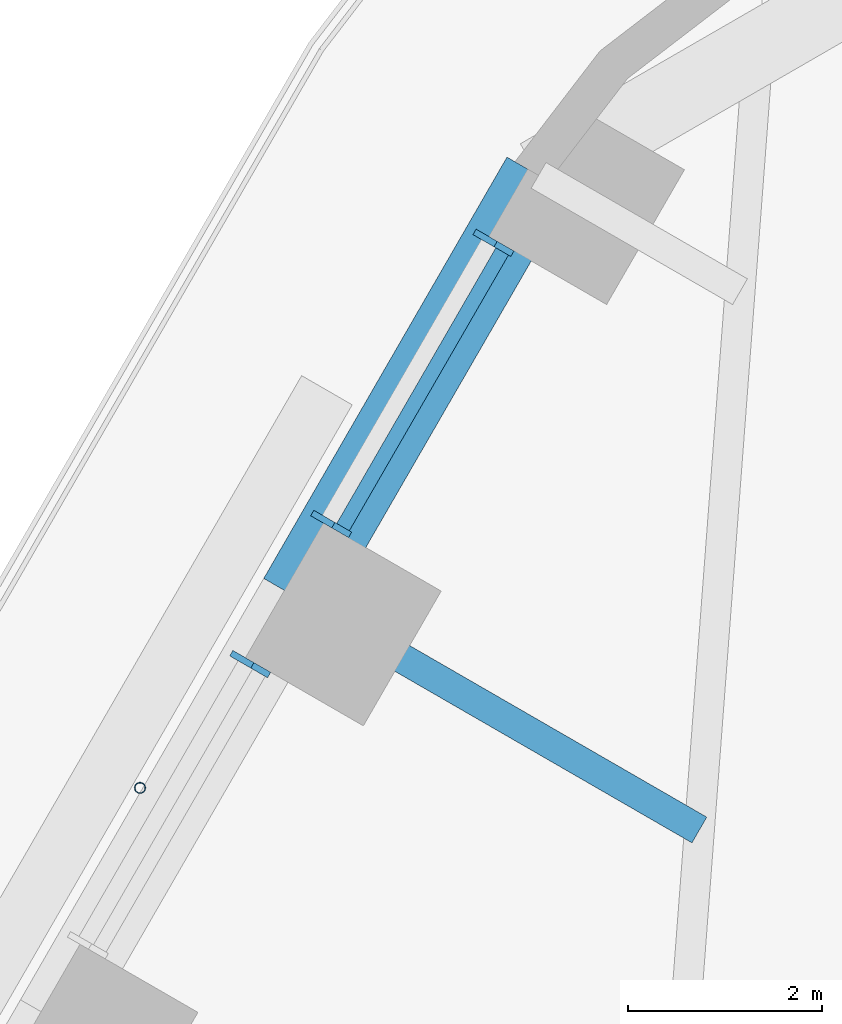
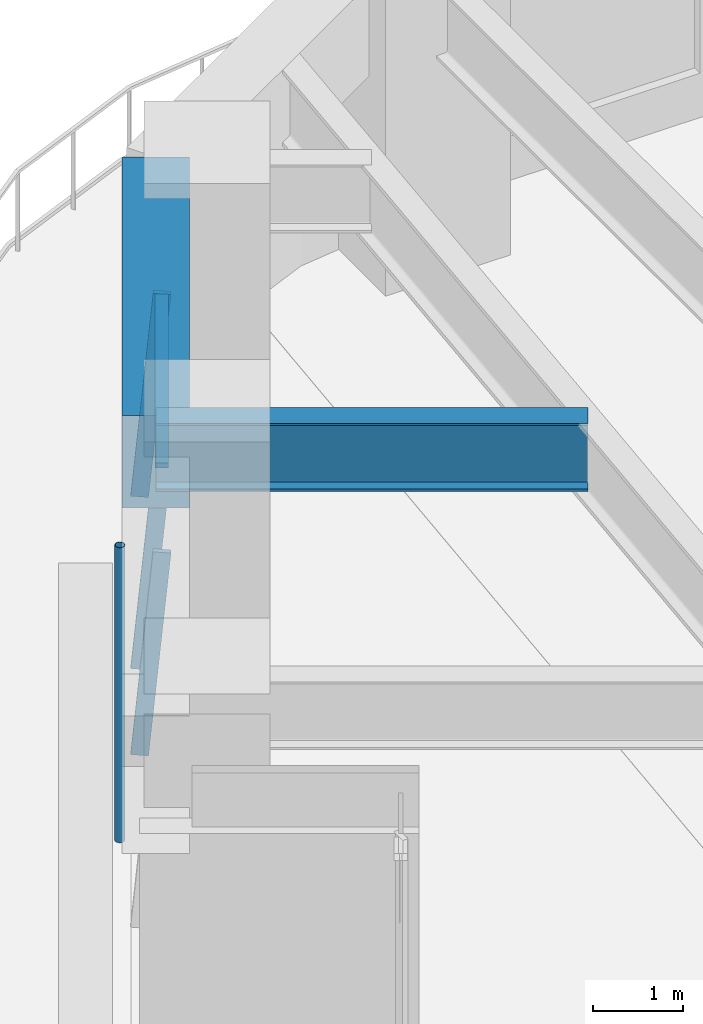
# One storey, part 9 of 24: 5 members, 2 beams, 2 elements without a shape of their own.
"""IFC4 building model written with IfcOpenShell, lengths in metres."""

from ifc_helpers import new_model, si_unit, direction, frame, origin, origin_2d, place, context, subcontext, project, spatial, rectangle, hollow_circle, i_section, extrude, material, material_profile, profile_set, type_object, element, aggregate, save


model = new_model("IFC4")

# Units and contexts
model_context = context("Model", 3, precision=1e-05, world=origin(), true_north=direction((0.0, 1.0)))
body_context = subcontext(model_context, "Body", "Model", "MODEL_VIEW")
ifc_project = project(units=[si_unit("LENGTHUNIT", "METRE"), si_unit("AREAUNIT", "SQUARE_METRE"), si_unit("VOLUMEUNIT", "CUBIC_METRE"), si_unit("PLANEANGLEUNIT", "RADIAN"), si_unit("MASSUNIT", "GRAM", prefix="KILO")], contexts=[model_context])

# Site, building, storey
site_placement = place(None, origin())
site = spatial("IfcSite", under=ifc_project, at=site_placement, CompositionType="ELEMENT")
building_placement = place(site_placement, origin())
building = spatial("IfcBuilding", under=site, at=building_placement, Name="Tarfa Lantern Tower", CompositionType="ELEMENT")
storey_placement = place(building_placement, frame((0.0, 0.0, 174.10009765625)))
storey = spatial("IfcBuildingStorey", under=building, at=storey_placement, Name="L39", CompositionType="ELEMENT", Elevation=174.10009765625)

# Curtain wall, members
ifc_material_1 = material(Name="Aluminium framed curtain wall", Category="aluminium")
curtain_wall_type = type_object("IfcCurtainWallType", Name="CW2 CANTED GLAZING MID ZONE 2750", PredefinedType="USERDEFINED", material=ifc_material_1)
curtain_wall_1_placement = place(storey_placement, origin())
curtain_wall_1 = element("IfcCurtainWall", 1, at=curtain_wall_1_placement, inside=storey, type_object=curtain_wall_type, Name="CW2 NW L39", ObjectType="CURTAIN WALL", PredefinedType="USERDEFINED")
ifc_material_2 = material(Name="Aluminium mullion", Category="aluminium")
ifc_material_profile_1 = material_profile(ifc_material_2, rectangle(XDim=0.06494140625, YDim=0.199951171875, at=origin_2d()), Name="AL MULLION 65x200")
ifc_profile_set_1 = profile_set([ifc_material_profile_1], Name="Aluminium mullion")
member_type_1 = type_object("IfcMemberType", Name="CWM1 MULLION 65x200", PredefinedType="MULLION", material=ifc_profile_set_1)
member_1_placement = place(storey_placement, frame((-20.10400390625, 27.97900390625, 0.0), z_axis=(0.078422950161, -0.045267813396, 0.995891894715), x_axis=(0.499919672301, 0.866071776036, 0.0)))
member_1 = element("IfcMember", 2, at=member_1_placement, type_object=member_type_1, Name="CW2 mullion 1", PredefinedType="MULLION", context=body_context, shape_type="SweptSolid", body=[
    extrude(rectangle(XDim=0.06494140625, YDim=0.199951171875, at=origin_2d()), origin(), (0.0, 0.0, 1.0), 2.76123046875),
])
member_2_placement = place(storey_placement, frame((-21.773193359375, 25.087646484375, 0.0), z_axis=(0.078422950161, -0.045267813396, 0.995891894715), x_axis=(0.499919672301, 0.866071776036, 0.0)))
member_2 = element("IfcMember", 3, at=member_2_placement, type_object=member_type_1, Name="CW2 mullion 2", PredefinedType="MULLION", context=body_context, shape_type="SweptSolid", body=[
    extrude(rectangle(XDim=0.06494140625, YDim=0.199951171875, at=origin_2d()), origin(), (0.0, 0.0, 1.0), 2.76123046875),
])

# Curtain wall, member
curtain_wall_2_placement = place(storey_placement, origin())
curtain_wall_2 = element("IfcCurtainWall", 4, at=curtain_wall_2_placement, inside=storey, type_object=curtain_wall_type, Name="CW2 NW L39", ObjectType="CURTAIN WALL", PredefinedType="USERDEFINED")
member_3_placement = place(storey_placement, frame((-22.605712890625, 23.645751953125, 0.0), z_axis=(0.078422950161, -0.045267813396, 0.995891894715), x_axis=(0.499919672301, 0.866071776036, 0.0)))
member_3 = element("IfcMember", 5, at=member_3_placement, type_object=member_type_1, Name="CW2 mullion 1", PredefinedType="MULLION", context=body_context, shape_type="SweptSolid", body=[
    extrude(rectangle(XDim=0.06494140625, YDim=0.199951171875, at=origin_2d()), origin(), (0.0, 0.0, 1.0), 2.76123046875),
])
aggregate(curtain_wall_2, [member_3])

# Member
ifc_material_3 = material(Name="Aluminium transom", Category="aluminium")
ifc_material_profile_2 = material_profile(ifc_material_3, rectangle(XDim=0.14990234375, YDim=0.06494140625, at=origin_2d()), Name="AL TRANSOM 150x65")
ifc_profile_set_2 = profile_set([ifc_material_profile_2], Name="Aluminium transom")
member_type_2 = type_object("IfcMemberType", Name="CWT1 TRANSOM 150x65", PredefinedType="USERDEFINED", material=ifc_profile_set_2)
member_4_placement = place(storey_placement, frame((-19.90625, 27.827392578125, 2.71728515625), z_axis=(-0.499957005835, -0.866050225054, 0.0), x_axis=(0.866050225054, -0.499957005835, 0.0)))
member_4 = element("IfcMember", 6, at=member_4_placement, type_object=member_type_2, Name="CW2 transom 1.2", ObjectType="TRANSOM", PredefinedType="USERDEFINED", context=body_context, shape_type="SweptSolid", body=[
    extrude(rectangle(XDim=0.14990234375, YDim=0.06494140625, at=origin_2d()), origin(), (0.0, 0.0, 1.0), 3.273681640625),
])

aggregate(curtain_wall_1, [member_1, member_2, member_4])

# Beam
ifc_material_4 = material(Name="Concrete C80/95", Category="concrete")
ifc_material_profile_3 = material_profile(ifc_material_4, rectangle(XDim=0.75, YDim=1.25, at=origin_2d()), Name="RC 750x1250")
ifc_profile_set_3 = profile_set([ifc_material_profile_3], Name="Concrete C80/95")
beam_type_1 = type_object("IfcBeamType", Name="EB2 RC 750x1250", PredefinedType="SPANDREL", material=ifc_profile_set_3)
beam_1_placement = place(storey_placement, frame((-19.53173828125, 28.610107421875, 3.375), z_axis=(-0.500001197378, -0.866024712477, 0.0), x_axis=(0.866024712477, -0.500001197378, 0.0)))
element("IfcBeam", 7, at=beam_1_placement, inside=storey, type_object=beam_type_1, Name="Edge beam NW0", PredefinedType="SPANDREL", context=body_context, shape_type="SweptSolid", body=[
    extrude(rectangle(XDim=0.75, YDim=1.25, at=origin_2d()), origin(), (0.0, 0.0, 1.0), 5.00390625),
])

# Member
ifc_material_5 = material(Name="Steel S355", Category="steel")
ifc_material_profile_4 = material_profile(ifc_material_5, hollow_circle(Radius=0.05712890625, WallThickness=0.00634765625, at=origin_2d()), Name="CHS114.3x6.3")
ifc_profile_set_4 = profile_set([ifc_material_profile_4], Name="Steel S355")
member_type_3 = type_object("IfcMemberType", Name="TR1 GREEN WALL TRELLIS CHS114.3x6.3", PredefinedType="USERDEFINED", material=ifc_profile_set_4)
member_5_placement = place(storey_placement, frame((-23.630859375, 22.31005859375, 0.0), z_axis=(0.0, 0.0, 1.0), x_axis=(1.0, 0.0, 0.0)))
element("IfcMember", 8, at=member_5_placement, inside=storey, type_object=member_type_3, Name="Trellis post NW 1", ObjectType="TRELLIS", PredefinedType="USERDEFINED", context=body_context, shape_type="SweptSolid", body=[
    extrude(hollow_circle(Radius=0.05712890625, WallThickness=0.00634765625, at=origin_2d()), origin(), (0.0, 0.0, 1.0), 4.0),
])

# Beam
ifc_material_6 = material(Name="Steel S460M", Category="steel")
ifc_material_profile_5 = material_profile(ifc_material_6, i_section(OverallWidth=0.305419921875, OverallDepth=0.91845703125, WebThickness=0.017333984375, FlangeThickness=0.02783203125, FilletRadius=0.01904296875, at=origin_2d()), Name="UB914x305x253")
ifc_profile_set_5 = profile_set([ifc_material_profile_5], Name="Steel S460M")
beam_type_2 = type_object("IfcBeamType", Name="UB914x305x253", PredefinedType="BEAM", material=ifc_profile_set_5)
beam_2_placement = place(storey_placement, frame((-22.03369140625, 24.276611328125, 3.540771484375), z_axis=(0.866030550462, -0.499991085587, 0.0), x_axis=(0.499991085587, 0.866030550462, 0.0)))
element("IfcBeam", 9, at=beam_2_placement, inside=storey, type_object=beam_type_2, Name="Floor beam NW1", PredefinedType="BEAM", context=body_context, shape_type="SweptSolid", body=[
    extrude(i_section(OverallWidth=0.305419921875, OverallDepth=0.91845703125, WebThickness=0.017333984375, FlangeThickness=0.02783203125, FilletRadius=0.01904296875, at=origin_2d()), origin(), (0.0, 0.0, 1.0), 4.798828125),
])

save(model, "model.ifc")
